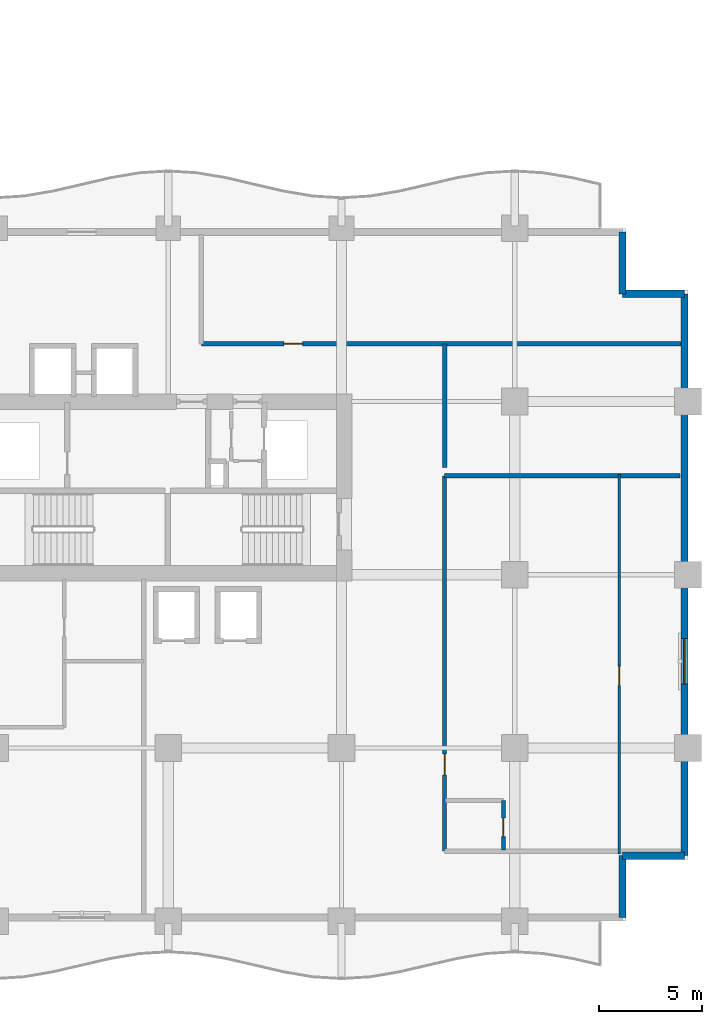
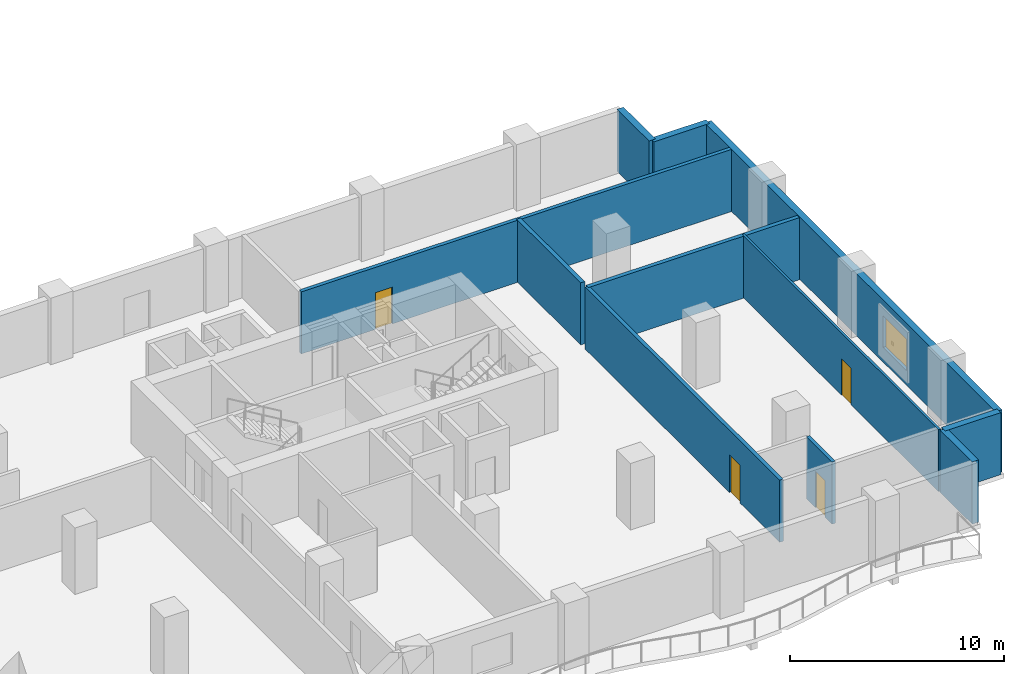
# One storey, part 13 of 22: 11 walls, 4 doors, 1 window, 5 openings.
"""IFC4 building model written with IfcOpenShell, lengths in metres."""

from ifc_helpers import new_model, si_unit, direction, frame, frame_2d, origin, place, context, subcontext, project, spatial, rectangle, extrude, material, layer, layer_set, type_object, element, fill, save


model = new_model("IFC4")

# Units and contexts
model_context = context("Model", 3, precision=1e-05, world=origin(), true_north=direction((0.0, 1.0)))
body_context = subcontext(model_context, "Body", "Model", "MODEL_VIEW")
ifc_project = project(units=[si_unit("LENGTHUNIT", "METRE"), si_unit("AREAUNIT", "SQUARE_METRE"), si_unit("VOLUMEUNIT", "CUBIC_METRE"), si_unit("PLANEANGLEUNIT", "RADIAN"), si_unit("MASSUNIT", "GRAM", prefix="KILO")], contexts=[model_context])

# Site, building, storey
site_placement = place(None, origin())
site = spatial("IfcSite", under=ifc_project, at=site_placement, CompositionType="ELEMENT")
building_placement = place(site_placement, origin())
building = spatial("IfcBuilding", under=site, at=building_placement, Name="Koriwani Terraces Tower", CompositionType="ELEMENT")
storey_placement = place(building_placement, frame((0.0, 0.0, 141.800048828125)))
storey = spatial("IfcBuildingStorey", under=building, at=storey_placement, Name="L34", CompositionType="ELEMENT", Elevation=141.800048828125)

# Wall, opening, door
ifc_material_1 = material(Name="Autoclaved Cellular Concrete Blockwork", Category="masonry")
ifc_layer_1 = layer(ifc_material_1, 0.199951171875, Name="Autoclaved Cellular Concrete Blockwork")
ifc_layer_set_1 = layer_set([ifc_layer_1], Name="Autoclaved Cellular Concrete Blockwork")
wall_type_1 = type_object("IfcWallType", Name="WALL_CORRIDOR_200", PredefinedType="PARTITIONING", material=ifc_layer_set_1)
wall_1_placement = place(storey_placement, frame((63.800048828125, 3.39990234375, 0.0), z_axis=(0.0, 0.0, 1.0), x_axis=(0.0, 1.0, 0.0)))
wall_1 = element("IfcWall", 1, at=wall_1_placement, inside=storey, type_object=wall_type_1, Name="L34 Interior Wall WGB-L34-SETIP-W", PredefinedType="PARTITIONING", context=body_context, shape_type="SweptSolid", body=[
    extrude(rectangle(XDim=18.2001953125, YDim=0.199951171875, at=frame_2d((9.10009765625, 0.0))), origin(), (0.0, 0.0, 1.0), 3.550048828125),
])
opening_1_placement = place(wall_1_placement, frame((3.699951171875, 0.0, 0.0)))
opening_1 = element("IfcOpeningElement", 2, at=opening_1_placement, cuts=wall_1, Name="Opening D-05", PredefinedType="OPENING", context=body_context, shape_type="SweptSolid", body=[
    extrude(rectangle(XDim=1.0, YDim=2.14990234375, at=frame_2d((0.5, 1.074951171875))), frame((0.0, 0.10986328125, 0.0), z_axis=(0.0, -1.0, 0.0), x_axis=(1.0, 0.0, 0.0)), (0.0, 0.0, 1.0), 0.219970703125),
])
ifc_material_2 = material(Name="Architectural Oak Fire Door", Category="wood")
door_type_1 = type_object("IfcDoorType", Name="DOOR_SUITE_ENTRY_1000X2150", OperationType="NOTDEFINED", PredefinedType="DOOR", material=ifc_material_2)
door_1_placement = place(opening_1_placement, origin())
door_1 = element("IfcDoor", 3, at=door_1_placement, inside=storey, type_object=door_type_1, Name="Ambassador Suite 34ET Entrance Door", OperationType="SINGLE_SWING_LEFT", OverallHeight=2.14990234375, OverallWidth=1.0, PredefinedType="DOOR", context=body_context, shape_type="SweptSolid", body=[
    extrude(rectangle(XDim=1.0, YDim=2.14990234375, at=frame_2d((0.5, 1.074951171875))), frame((0.0, 0.02490234375, 0.0), z_axis=(0.0, -1.0, 0.0), x_axis=(1.0, 0.0, 0.0)), (0.0, 0.0, 1.0), 0.050048828125),
])
fill(opening_1, door_1)

wall_2_placement = place(storey_placement, frame((52.0, 28.0, 0.0), z_axis=(0.0, 0.0, 1.0), x_axis=(1.0, 0.0, 0.0)))
wall_2 = element("IfcWall", 4, at=wall_2_placement, inside=storey, type_object=wall_type_1, Name="L34 Interior Wall WSET2-S-L34", PredefinedType="PARTITIONING", context=body_context, shape_type="SweptSolid", body=[
    extrude(rectangle(XDim=23.25, YDim=0.199951171875, at=frame_2d((11.625, 0.0))), origin(), (0.0, 0.0, 1.0), 3.550048828125),
])
opening_2_placement = place(wall_2_placement, frame((4.0, 0.0, 0.0)))
opening_2 = element("IfcOpeningElement", 5, at=opening_2_placement, cuts=wall_2, Name="Opening D-06", PredefinedType="OPENING", context=body_context, shape_type="SweptSolid", body=[
    extrude(rectangle(XDim=0.919921875, YDim=2.10009765625, at=frame_2d((0.4599609375, 1.050048828125))), frame((0.0, 0.10986328125, 0.0), z_axis=(0.0, -1.0, 0.0), x_axis=(1.0, 0.0, 0.0)), (0.0, 0.0, 1.0), 0.219970703125),
])
door_type_2 = type_object("IfcDoorType", Name="DOOR_ROOM_INT_920X2100", OperationType="NOTDEFINED", PredefinedType="DOOR", material=ifc_material_2)
door_2_placement = place(opening_2_placement, origin())
door_2 = element("IfcDoor", 6, at=door_2_placement, inside=storey, type_object=door_type_2, Name="L34 East Court Salon Door", OperationType="SINGLE_SWING_RIGHT", OverallHeight=2.10009765625, OverallWidth=0.919921875, PredefinedType="DOOR", context=body_context, shape_type="SweptSolid", body=[
    extrude(rectangle(XDim=0.919921875, YDim=2.10009765625, at=frame_2d((0.4599609375, 1.050048828125))), frame((0.0, 0.02490234375, 0.0), z_axis=(0.0, -1.0, 0.0), x_axis=(1.0, 0.0, 0.0)), (0.0, 0.0, 1.0), 0.050048828125),
])
fill(opening_2, door_2)

# Walls
ifc_layer_2 = layer(ifc_material_1, 0.219970703125, Name="Autoclaved Cellular Concrete Blockwork")
ifc_layer_set_2 = layer_set([ifc_layer_2], Name="Autoclaved Cellular Concrete Blockwork")
wall_type_2 = type_object("IfcWallType", Name="WALL_DEMISING_220", PredefinedType="PARTITIONING", material=ifc_layer_set_2)
wall_3_placement = place(storey_placement, frame((63.800048828125, 21.60009765625, 0.0), z_axis=(0.0, 0.0, 1.0), x_axis=(1.0, 0.0, 0.0)))
element("IfcWall", 7, at=wall_3_placement, inside=storey, type_object=wall_type_2, Name="L34 Interior Wall WGB-L34-SETIP-N", PredefinedType="PARTITIONING", context=body_context, shape_type="SweptSolid", body=[
    extrude(rectangle(XDim=11.419921875, YDim=0.219970703125, at=frame_2d((5.7099609375, 0.0))), origin(), (0.0, 0.0, 1.0), 3.550048828125),
])
wall_4_placement = place(storey_placement, frame((63.800048828125, 22.0, 0.0), z_axis=(0.0, 0.0, 1.0), x_axis=(0.0, 1.0, 0.0)))
element("IfcWall", 8, at=wall_4_placement, inside=storey, type_object=wall_type_2, Name="L34 Interior Wall WSET2-SW-L34", PredefinedType="PARTITIONING", context=body_context, shape_type="SweptSolid", body=[
    extrude(rectangle(XDim=6.0, YDim=0.219970703125, at=frame_2d((3.0, 0.0))), origin(), (0.0, 0.0, 1.0), 3.550048828125),
])
ifc_material_3 = material(Name="Concrete C50/60", Category="concrete")
ifc_layer_3 = layer(ifc_material_3, 0.35009765625, Name="Concrete C50/60")
ifc_layer_set_3 = layer_set([ifc_layer_3], Name="Concrete C50/60")
wall_type_3 = type_object("IfcWallType", Name="WALL_EXT_BRUTALIST_350", PredefinedType="STANDARD", material=ifc_layer_set_3)
for number, where, z_axis, x_axis, name in (
    (9, (72.425048828125, 33.425048828125, 0.0), (0.0, 0.0, 1.0), (0.0, -1.0, 0.0), "L34 Fair-Faced Brutalist Exterior Wall (N10)"),
    (10, (72.425048828125, 30.425048828125, 0.0), (0.0, 0.0, 1.0), (1.0, 0.0, 0.0), "L34 Fair-Faced Brutalist Exterior Wall (N11)"),
):
    element("IfcWall", number, at=place(storey_placement, frame(where, z_axis=z_axis, x_axis=x_axis)), inside=storey, type_object=wall_type_3, Name=name, PredefinedType="STANDARD", context=body_context, shape_type="SweptSolid", body=[
        extrude(rectangle(XDim=3.0, YDim=0.35009765625, at=frame_2d((1.5, 0.0))), origin(), (0.0, 0.0, 1.0), 3.550048828125),
    ])

# Wall, opening, window
wall_5_placement = place(storey_placement, frame((75.425048828125, 30.425048828125, 0.0), z_axis=(0.0, 0.0, 1.0), x_axis=(0.0, -1.0, 0.0)))
wall_5 = element("IfcWall", 11, at=wall_5_placement, inside=storey, type_object=wall_type_3, Name="L34 Fair-Faced Brutalist Exterior Wall (E_TIP)", PredefinedType="STANDARD", context=body_context, shape_type="SweptSolid", body=[
    extrude(rectangle(XDim=27.25, YDim=0.35009765625, at=frame_2d((13.625, 0.0))), origin(), (0.0, 0.0, 1.0), 3.550048828125),
])
opening_3_placement = place(wall_5_placement, frame((16.72509765625, 0.0, 0.85009765625)))
opening_3 = element("IfcOpeningElement", 12, at=opening_3_placement, cuts=wall_5, Name="Opening W-01", PredefinedType="OPENING", context=body_context, shape_type="SweptSolid", body=[
    extrude(rectangle(XDim=2.199951171875, YDim=1.800048828125, at=frame_2d((1.10009765625, 0.89990234375))), frame((0.0, 0.18505859375, 0.0), z_axis=(0.0, -1.0, 0.0), x_axis=(1.0, 0.0, 0.0)), (0.0, 0.0, 1.0), 0.3701171875),
])
ifc_material_4 = material(Name="Tempered Laminated Low-E Glass", Category="glass")
window_type = type_object("IfcWindowType", Name="WIN_HOTEL_STD_2200X1800", PartitioningType="DOUBLE_PANEL_VERTICAL", PredefinedType="WINDOW", material=ifc_material_4)
window_placement = place(opening_3_placement, origin())
window = element("IfcWindow", 13, at=window_placement, inside=storey, type_object=window_type, Name="L34 Exterior Window (E_TIP-3)", OverallHeight=1.800048828125, OverallWidth=2.199951171875, PartitioningType="SINGLE_PANEL", PredefinedType="WINDOW", context=body_context, shape_type="SweptSolid", body=[
    extrude(rectangle(XDim=2.199951171875, YDim=1.800048828125, at=frame_2d((1.10009765625, 0.89990234375))), frame((0.0, 0.030029296875, 0.0), z_axis=(0.0, -1.0, 0.0), x_axis=(1.0, 0.0, 0.0)), (0.0, 0.0, 1.0), 0.06005859375),
])
fill(opening_3, window)

# Walls
for number, where, z_axis, x_axis, name in (
    (14, (75.425048828125, 3.175048828125, 0.0), (0.0, 0.0, 1.0), (-1.0, 0.0, 0.0), "L34 Fair-Faced Brutalist Exterior Wall (N13)"),
    (15, (72.425048828125, 3.175048828125, 0.0), (0.0, 0.0, 1.0), (0.0, -1.0, 0.0), "L34 Fair-Faced Brutalist Exterior Wall (N14)"),
):
    element("IfcWall", number, at=place(storey_placement, frame(where, z_axis=z_axis, x_axis=x_axis)), inside=storey, type_object=wall_type_3, Name=name, PredefinedType="STANDARD", context=body_context, shape_type="SweptSolid", body=[
        extrude(rectangle(XDim=3.0, YDim=0.35009765625, at=frame_2d((1.5, 0.0))), origin(), (0.0, 0.0, 1.0), 3.550048828125),
    ])

# Wall, opening, door
ifc_material_5 = material(Name="Fire-Rated Acoustic Gypsum Partition", Category="masonry")
ifc_layer_4 = layer(ifc_material_5, 0.125, Name="Fire-Rated Acoustic Gypsum Partition")
ifc_layer_set_4 = layer_set([ifc_layer_4], Name="Fire-Rated Acoustic Gypsum Partition")
wall_type_4 = type_object("IfcWallType", Name="WALL_INT_125", PredefinedType="PARTITIONING", material=ifc_layer_set_4)
wall_6_placement = place(storey_placement, frame((72.27001953125, 3.25, 0.0), z_axis=(0.0, 0.0, 1.0), x_axis=(0.0, 1.0, 0.0)))
wall_6 = element("IfcWall", 16, at=wall_6_placement, inside=storey, type_object=wall_type_4, Name="L34 Interior Wall WGB-L34-SETIP-BD", PredefinedType="PARTITIONING", context=body_context, shape_type="SweptSolid", body=[
    extrude(rectangle(XDim=18.39990234375, YDim=0.125, at=frame_2d((9.199951171875, 0.0))), origin(), (0.0, 0.0, 1.0), 3.550048828125),
])
opening_4_placement = place(wall_6_placement, frame((8.18994140625, 0.0, 0.0)))
opening_4 = element("IfcOpeningElement", 17, at=opening_4_placement, cuts=wall_6, Name="Opening D-06", PredefinedType="OPENING", context=body_context, shape_type="SweptSolid", body=[
    extrude(rectangle(XDim=0.919921875, YDim=2.10009765625, at=frame_2d((0.4599609375, 1.050048828125))), frame((0.0, 0.072509765625, 0.0), z_axis=(0.0, -1.0, 0.0), x_axis=(1.0, 0.0, 0.0)), (0.0, 0.0, 1.0), 0.14501953125),
])
door_3_placement = place(opening_4_placement, origin())
door_3 = element("IfcDoor", 18, at=door_3_placement, inside=storey, type_object=door_type_2, Name="Ambassador Suite 34ET Master Suite Door", OperationType="SINGLE_SWING_LEFT", OverallHeight=2.10009765625, OverallWidth=0.919921875, PredefinedType="DOOR", context=body_context, shape_type="SweptSolid", body=[
    extrude(rectangle(XDim=0.919921875, YDim=2.10009765625, at=frame_2d((0.4599609375, 1.050048828125))), frame((0.0, 0.02490234375, 0.0), z_axis=(0.0, -1.0, 0.0), x_axis=(1.0, 0.0, 0.0)), (0.0, 0.0, 1.0), 0.050048828125),
])
fill(opening_4, door_3)

ifc_layer_5 = layer(ifc_material_5, 0.179931640625, Name="Fire-Rated Acoustic Gypsum Partition")
ifc_layer_set_5 = layer_set([ifc_layer_5], Name="Fire-Rated Acoustic Gypsum Partition")
wall_type_5 = type_object("IfcWallType", Name="WALL_PLUMBING_180", PredefinedType="PLUMBINGWALL", material=ifc_layer_set_5)
wall_7_placement = place(storey_placement, frame((66.64990234375, 3.449951171875, 0.0), z_axis=(0.0, 0.0, 1.0), x_axis=(0.0, 1.0, 0.0)))
wall_7 = element("IfcWall", 19, at=wall_7_placement, inside=storey, type_object=wall_type_5, Name="L34 Interior Wall WGB-L34-SETIP-SVB", PredefinedType="PLUMBINGWALL", context=body_context, shape_type="SweptSolid", body=[
    extrude(rectangle(XDim=2.400146484375, YDim=0.179931640625, at=frame_2d((1.2001953125, 0.0))), origin(), (0.0, 0.0, 1.0), 3.550048828125),
])
opening_5_placement = place(wall_7_placement, frame((0.64990234375, 0.0, 0.0)))
opening_5 = element("IfcOpeningElement", 20, at=opening_5_placement, cuts=wall_7, Name="Opening D-07", PredefinedType="OPENING", context=body_context, shape_type="SweptSolid", body=[
    extrude(rectangle(XDim=0.89990234375, YDim=2.10009765625, at=frame_2d((0.449951171875, 1.050048828125))), frame((0.0, 0.10009765625, 0.0), z_axis=(0.0, -1.0, 0.0), x_axis=(1.0, 0.0, 0.0)), (0.0, 0.0, 1.0), 0.199951171875),
])
door_type_3 = type_object("IfcDoorType", Name="DOOR_BATH_INT_900X2100", OperationType="NOTDEFINED", PredefinedType="DOOR", material=ifc_material_2)
door_4_placement = place(opening_5_placement, origin())
door_4 = element("IfcDoor", 21, at=door_4_placement, inside=storey, type_object=door_type_3, Name="Ambassador Suite 34ET Bathroom Door", OperationType="SINGLE_SWING_RIGHT", OverallHeight=2.10009765625, OverallWidth=0.89990234375, PredefinedType="DOOR", context=body_context, shape_type="SweptSolid", body=[
    extrude(rectangle(XDim=0.89990234375, YDim=2.10009765625, at=frame_2d((0.449951171875, 1.050048828125))), frame((0.0, 0.02490234375, 0.0), z_axis=(0.0, -1.0, 0.0), x_axis=(1.0, 0.0, 0.0)), (0.0, 0.0, 1.0), 0.050048828125),
])
fill(opening_5, door_4)

save(model, "model.ifc")
